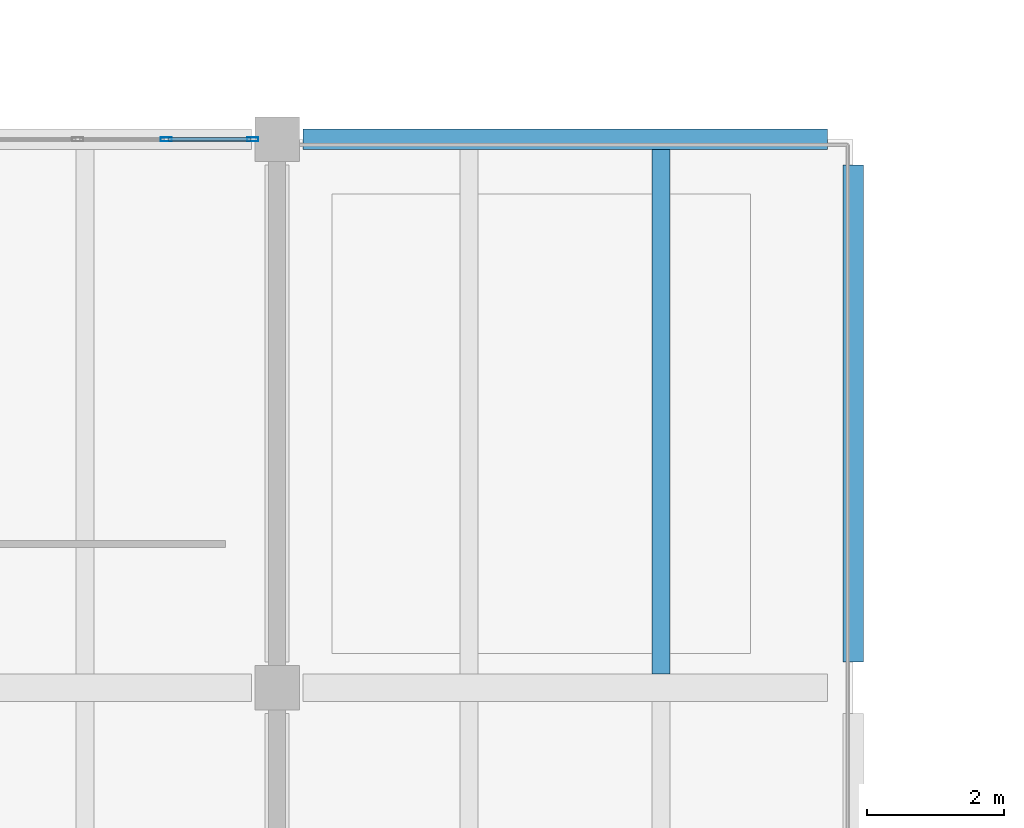
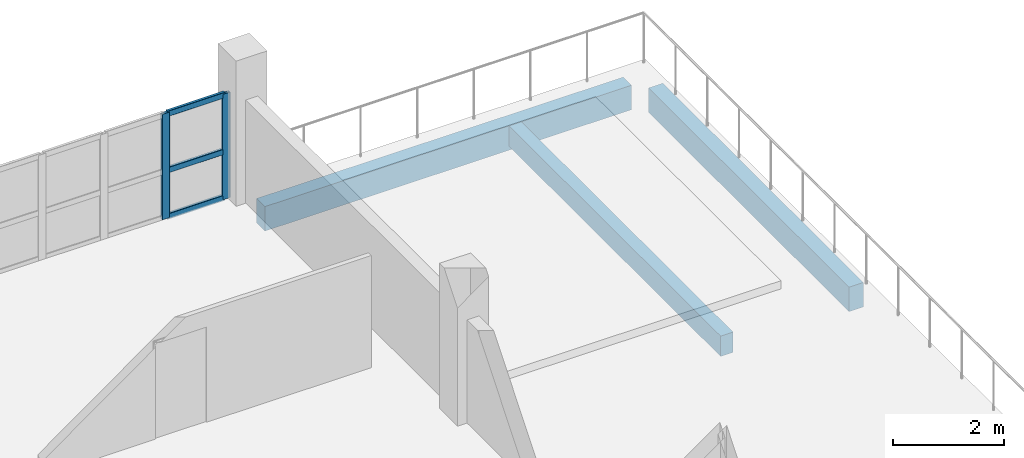
# One storey, part 18 of 33: 5 members, 3 beams, 1 element without a shape of its own.
"""IFC4 building model written with IfcOpenShell, lengths in metres."""

from ifc_helpers import new_model, si_unit, direction, frame, origin, origin_2d, place, context, subcontext, project, spatial, rectangle, hollow_rectangle, extrude, material, layer, layer_set, material_profile, profile_set, type_object, element, aggregate, save


model = new_model("IFC4")

# Units and contexts
model_context = context("Model", 3, precision=1e-05, world=origin(), true_north=direction((0.0, 1.0)))
body_context = subcontext(model_context, "Body", "Model", "MODEL_VIEW")
ifc_project = project(units=[si_unit("LENGTHUNIT", "METRE"), si_unit("AREAUNIT", "SQUARE_METRE"), si_unit("VOLUMEUNIT", "CUBIC_METRE"), si_unit("PLANEANGLEUNIT", "RADIAN"), si_unit("MASSUNIT", "GRAM", prefix="KILO"), si_unit("THERMODYNAMICTEMPERATUREUNIT", "KELVIN"), si_unit("POWERUNIT", "WATT")], contexts=[model_context])

# Site, building, storey
site_placement = place(None, origin())
site = spatial("IfcSite", under=ifc_project, at=site_placement, CompositionType="ELEMENT")
building_placement = place(site_placement, origin())
building = spatial("IfcBuilding", under=site, at=building_placement, Name="Mavoryth Pier Ferry Terminal", CompositionType="ELEMENT")
storey_placement = place(building_placement, frame((0.0, 0.0, 13.1201171875)))
storey = spatial("IfcBuildingStorey", under=building, at=storey_placement, Name="L03", CompositionType="ELEMENT", Elevation=13.1201171875)

# Beam
ifc_material_1 = material(Name="Concrete C35/45", Category="concrete")
ifc_material_profile_1 = material_profile(ifc_material_1, rectangle(XDim=0.260009765625, YDim=0.449951171875, at=origin_2d()), Name="RC 260x450", Category="concrete")
ifc_profile_set_1 = profile_set([ifc_material_profile_1], Name="Concrete C35/45 - RC 260x450")
beam_type_1 = type_object("IfcBeamType", Name="Joist-RC-260x450", PredefinedType="JOIST", material=ifc_profile_set_1)
beam_1_placement = place(storey_placement, frame((89.60009765625, 14.199951171875, -0.585205078125), z_axis=(0.0, 1.0, 0.0), x_axis=(-1.0, 0.0, 0.0)))
element("IfcBeam", 1, at=beam_1_placement, inside=storey, type_object=beam_type_1, Name="Beam B03-BJ03-1309", PredefinedType="JOIST", context=body_context, shape_type="SweptSolid", body=[
    extrude(rectangle(XDim=0.260009765625, YDim=0.449951171875, at=origin_2d()), origin(), (0.0, 0.0, 1.0), 7.650146484375),
])

# Curtain wall, members
ifc_material_2 = material(Name="Anodised Aluminium and Solar-Control Low-E Glass", Category="aluminium")
ifc_layer = layer(ifc_material_2, 0.239990234375, Name="Anodised Aluminium and Solar-Control Low-E Glass", Category="aluminium")
ifc_layer_set = layer_set([ifc_layer], Name="Anodised Aluminium and Solar-Control Low-E Glass - CW-Operations-Mod1200")
curtain_wall_type = type_object("IfcCurtainWallType", Name="CW-Operations-Mod1200", PredefinedType="USERDEFINED", material=ifc_layer_set)
curtain_wall_placement = place(storey_placement, origin())
curtain_wall = element("IfcCurtainWall", 2, at=curtain_wall_placement, inside=storey, type_object=curtain_wall_type, Name="Curtain Wall CW-0322-145", ObjectType="UNITISED CURTAIN WALL", PredefinedType="USERDEFINED")
ifc_material_3 = material(Name="Anodised Aluminium EN AW-6063", Category="aluminium")
ifc_material_profile_2 = material_profile(ifc_material_3, hollow_rectangle(XDim=0.06005859375, YDim=0.1650390625, WallThickness=0.00390625, InnerFilletRadius=0.00390625, OuterFilletRadius=0.008056640625, at=origin_2d()), Name="AL-MULL 165x60x4", Category="aluminium")
ifc_profile_set_2 = profile_set([ifc_material_profile_2], Name="Anodised Aluminium EN AW-6063 - AL-MULL 165x60x4")
member_type_1 = type_object("IfcMemberType", Name="Mullion-Alum-165x60", PredefinedType="MULLION", material=ifc_profile_set_2)
member_1_placement = place(storey_placement, frame((83.64501953125, 22.0, 0.0), z_axis=(0.0, 0.0, 1.0), x_axis=(0.0, -1.0, 0.0)))
member_1 = element("IfcMember", 3, at=member_1_placement, type_object=member_type_1, Name="CW06 mullion 1", PredefinedType="MULLION", context=body_context, shape_type="SweptSolid", body=[
    extrude(hollow_rectangle(XDim=0.06005859375, YDim=0.1650390625, WallThickness=0.00390625, InnerFilletRadius=0.00390625, OuterFilletRadius=0.008056640625, at=origin_2d()), origin(), (0.0, 0.0, 1.0), 2.324951171875),
])
member_2_placement = place(storey_placement, frame((82.38330078125, 22.0, 0.0), z_axis=(0.0, 0.0, 1.0), x_axis=(0.0, -1.0, 0.0)))
member_2 = element("IfcMember", 4, at=member_2_placement, type_object=member_type_1, Name="CW06 mullion 2", PredefinedType="MULLION", context=body_context, shape_type="SweptSolid", body=[
    extrude(hollow_rectangle(XDim=0.06005859375, YDim=0.1650390625, WallThickness=0.00390625, InnerFilletRadius=0.00390625, OuterFilletRadius=0.008056640625, at=origin_2d()), origin(), (0.0, 0.0, 1.0), 2.324951171875),
])

# Beams
ifc_material_profile_3 = material_profile(ifc_material_1, rectangle(XDim=0.300048828125, YDim=0.5400390625, at=origin_2d()), Name="RC 300x540", Category="concrete")
ifc_profile_set_3 = profile_set([ifc_material_profile_3], Name="Concrete C35/45 - RC 300x540")
beam_type_2 = type_object("IfcBeamType", Name="Spandrel-RC-300x540", PredefinedType="SPANDREL", material=ifc_profile_set_3)
beam_2_placement = place(storey_placement, frame((84.375, 22.0, -0.630126953125), z_axis=(1.0, 0.0, 0.0), x_axis=(0.0, 1.0, 0.0)))
element("IfcBeam", 5, at=beam_2_placement, inside=storey, type_object=beam_type_2, Name="Beam B03-SP02-1256", PredefinedType="SPANDREL", context=body_context, shape_type="SweptSolid", body=[
    extrude(rectangle(XDim=0.300048828125, YDim=0.5400390625, at=origin_2d()), origin(), (0.0, 0.0, 1.0), 7.64990234375),
])
beam_3_placement = place(storey_placement, frame((92.39990234375, 14.375, -0.630126953125), z_axis=(0.0, 1.0, 0.0), x_axis=(-1.0, 0.0, 0.0)))
element("IfcBeam", 6, at=beam_3_placement, inside=storey, type_object=beam_type_2, Name="Beam B03-SP02-1277", PredefinedType="SPANDREL", context=body_context, shape_type="SweptSolid", body=[
    extrude(rectangle(XDim=0.300048828125, YDim=0.5400390625, at=origin_2d()), origin(), (0.0, 0.0, 1.0), 7.25),
])

# Member
ifc_material_profile_4 = material_profile(ifc_material_3, hollow_rectangle(XDim=0.06005859375, YDim=0.125, WallThickness=0.00390625, InnerFilletRadius=0.00390625, OuterFilletRadius=0.008056640625, at=origin_2d()), Name="AL-TRAN 125x60x4", Category="aluminium")
ifc_profile_set_4 = profile_set([ifc_material_profile_4], Name="Anodised Aluminium EN AW-6063 - AL-TRAN 125x60x4")
member_type_2 = type_object("IfcMemberType", Name="Transom-Alum-125x60", PredefinedType="USERDEFINED", material=ifc_profile_set_4)
member_3_placement = place(storey_placement, frame((83.614990234375, 22.0, 0.02978515625), z_axis=(-1.0, 0.0, 0.0), x_axis=(0.0, -1.0, 0.0)))
member_3 = element("IfcMember", 7, at=member_3_placement, type_object=member_type_2, Name="CW06 transom 1.1", ObjectType="TRANSOM", PredefinedType="USERDEFINED", context=body_context, shape_type="SweptSolid", body=[
    extrude(hollow_rectangle(XDim=0.06005859375, YDim=0.125, WallThickness=0.00390625, InnerFilletRadius=0.00390625, OuterFilletRadius=0.008056640625, at=origin_2d()), origin(), (0.0, 0.0, 1.0), 1.20166015625),
])

member_4_placement = place(storey_placement, frame((83.614990234375, 22.0, 1.0498046875), z_axis=(-1.0, 0.0, 0.0), x_axis=(0.0, -1.0, 0.0)))
member_4 = element("IfcMember", 8, at=member_4_placement, type_object=member_type_2, Name="CW06 transom 1.2", ObjectType="TRANSOM", PredefinedType="USERDEFINED", context=body_context, shape_type="SweptSolid", body=[
    extrude(hollow_rectangle(XDim=0.06005859375, YDim=0.125, WallThickness=0.00390625, InnerFilletRadius=0.00390625, OuterFilletRadius=0.008056640625, at=origin_2d()), origin(), (0.0, 0.0, 1.0), 1.20166015625),
])

member_5_placement = place(storey_placement, frame((83.614990234375, 22.0, 2.294921875), z_axis=(-1.0, 0.0, 0.0), x_axis=(0.0, -1.0, 0.0)))
member_5 = element("IfcMember", 9, at=member_5_placement, type_object=member_type_2, Name="CW06 transom 1.3", ObjectType="TRANSOM", PredefinedType="USERDEFINED", context=body_context, shape_type="SweptSolid", body=[
    extrude(hollow_rectangle(XDim=0.06005859375, YDim=0.125, WallThickness=0.00390625, InnerFilletRadius=0.00390625, OuterFilletRadius=0.008056640625, at=origin_2d()), origin(), (0.0, 0.0, 1.0), 1.20166015625),
])

aggregate(curtain_wall, [member_1, member_2, member_3, member_4, member_5])

save(model, "model.ifc")
